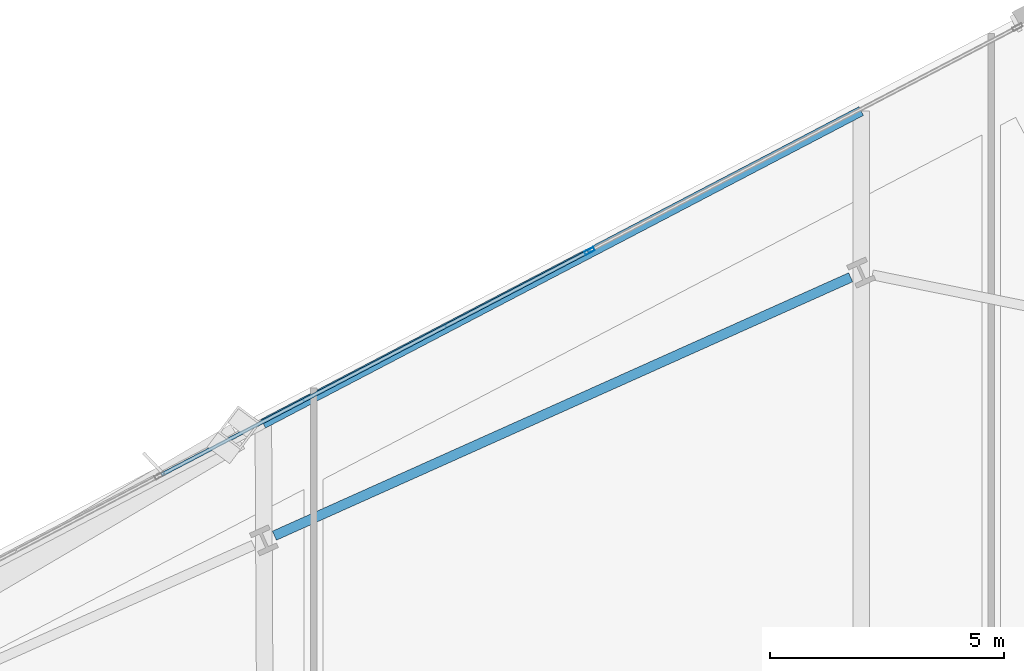
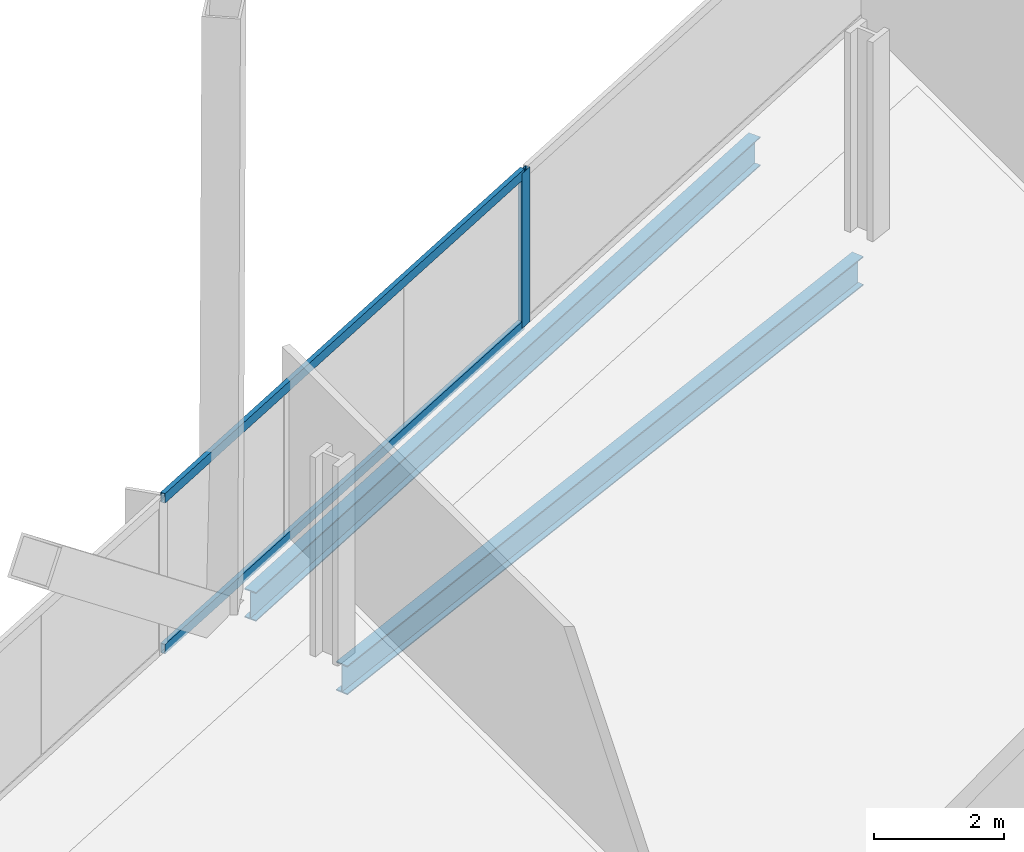
# One storey, part 18 of 33: 3 members, 2 beams, 1 element without a shape of its own.
"""IFC4 building model written with IfcOpenShell, lengths in metres."""

from ifc_helpers import new_model, si_unit, direction, frame, origin, origin_2d, place, context, subcontext, project, spatial, hollow_rectangle, i_section, extrude, material, material_profile, profile_set, type_object, element, aggregate, save


model = new_model("IFC4")

# Units and contexts
model_context = context("Model", 3, precision=1e-05, world=origin(), true_north=direction((0.0, 1.0)))
body_context = subcontext(model_context, "Body", "Model", "MODEL_VIEW")
ifc_project = project(units=[si_unit("LENGTHUNIT", "METRE"), si_unit("AREAUNIT", "SQUARE_METRE"), si_unit("VOLUMEUNIT", "CUBIC_METRE"), si_unit("PLANEANGLEUNIT", "RADIAN"), si_unit("MASSUNIT", "GRAM", prefix="KILO")], contexts=[model_context])

# Site, building, storey
site_placement = place(None, origin())
site = spatial("IfcSite", under=ifc_project, at=site_placement, CompositionType="ELEMENT")
building_placement = place(site_placement, origin())
building = spatial("IfcBuilding", under=site, at=building_placement, Name="Haldenkirk Collegiate Tower", CompositionType="ELEMENT")
storey_placement = place(building_placement, frame((0.0, 0.0, 120.449951171875)))
storey = spatial("IfcBuildingStorey", under=building, at=storey_placement, Name="L29", CompositionType="ELEMENT", Elevation=120.449951171875)

# Beams
ifc_material_1 = material(Name="Steel ASTM A992 Grade 50", Category="steel")
ifc_material_profile_1 = material_profile(ifc_material_1, i_section(OverallWidth=0.2119140625, OverallDepth=0.5439453125, WebThickness=0.01318359375, FlangeThickness=0.021240234375, at=origin_2d()), Name="W21X83")
ifc_profile_set_1 = profile_set([ifc_material_profile_1], Name="Steel ASTM A992 Grade 50")
beam_type = type_object("IfcBeamType", Name="BM-SPANDREL-W21X83", PredefinedType="SPANDREL", material=ifc_profile_set_1)
beam_1_placement = place(storey_placement, frame((39.4921875, 51.84033203125, -0.572021484375), z_axis=(-0.912476765144, -0.409128528793, 0.0), x_axis=(0.409128528793, -0.912476765144, 0.0)))
element("IfcBeam", 1, at=beam_1_placement, inside=storey, type_object=beam_type, Name="L29 perimeter spandrel beam 10", PredefinedType="SPANDREL", context=body_context, shape_type="SweptSolid", body=[
    extrude(i_section(OverallWidth=0.2119140625, OverallDepth=0.5439453125, WebThickness=0.01318359375, FlangeThickness=0.021240234375, at=origin_2d()), origin(), (0.0, 0.0, 1.0), 13.512939453125),
])
beam_2_placement = place(storey_placement, frame((39.71630859375, 55.39697265625, -0.572021484375), z_axis=(-0.886206346529, -0.463290741729, 0.0), x_axis=(0.463290741729, -0.886206346529, 0.0)))
element("IfcBeam", 2, at=beam_2_placement, inside=storey, type_object=beam_type, Name="L29 outer facade edge beam 3A", PredefinedType="SPANDREL", context=body_context, shape_type="SweptSolid", body=[
    extrude(i_section(OverallWidth=0.2119140625, OverallDepth=0.5439453125, WebThickness=0.01318359375, FlangeThickness=0.021240234375, at=origin_2d()), origin(), (0.0, 0.0, 1.0), 14.433837890625),
])

# Curtain wall, members
ifc_material_2 = material(Name="Anodised architectural bronze aluminium", Category="aluminium")
curtain_wall_type = type_object("IfcCurtainWallType", Name="CW-SYS1-CONVEX-LOW", PredefinedType="USERDEFINED", material=ifc_material_2)
curtain_wall_placement = place(storey_placement, origin())
curtain_wall = element("IfcCurtainWall", 3, at=curtain_wall_placement, inside=storey, type_object=curtain_wall_type, Name="L29 Lower tower convex bronze-framed unitised curtain wall", ObjectType="UNITISED CURTAIN WALL", PredefinedType="USERDEFINED")
ifc_material_profile_2 = material_profile(ifc_material_2, hollow_rectangle(XDim=0.080078125, YDim=0.219970703125, WallThickness=0.0048828125, at=origin_2d()), Name="CW-MUL-1A")
ifc_profile_set_2 = profile_set([ifc_material_profile_2], Name="Anodised architectural bronze aluminium")
member_type_1 = type_object("IfcMemberType", Name="CW-MUL-1A", PredefinedType="MULLION", material=ifc_profile_set_2)
member_1_placement = place(storey_placement, frame((33.90380859375, 52.403564453125, 0.0), z_axis=(0.0, 0.0, 1.0), x_axis=(-0.463296790536, 0.886203184309, 0.0)))
member_1 = element("IfcMember", 4, at=member_1_placement, type_object=member_type_1, Name="CW-1A mullion 4", PredefinedType="MULLION", context=body_context, shape_type="SweptSolid", body=[
    extrude(hollow_rectangle(XDim=0.080078125, YDim=0.219970703125, WallThickness=0.0048828125, at=origin_2d()), origin(), (0.0, 0.0, 1.0), 2.901123046875),
])
ifc_material_profile_3 = material_profile(ifc_material_2, hollow_rectangle(XDim=0.080078125, YDim=0.179931640625, WallThickness=0.0048828125, at=origin_2d()), Name="CW-TRN-1A")
ifc_profile_set_3 = profile_set([ifc_material_profile_3], Name="Anodised architectural bronze aluminium")
member_type_2 = type_object("IfcMemberType", Name="CW-TRN-1A", PredefinedType="USERDEFINED", material=ifc_profile_set_3)
member_2_placement = place(storey_placement, frame((24.744873046875, 47.615234375, 0.0400390625), z_axis=(0.886199332893, 0.463304157525, 0.0), x_axis=(-0.463304157525, 0.886199332893, 0.0)))
member_2 = element("IfcMember", 5, at=member_2_placement, type_object=member_type_2, Name="CW-1A transom 3.1", ObjectType="TRANSOM", PredefinedType="USERDEFINED", context=body_context, shape_type="SweptSolid", body=[
    extrude(hollow_rectangle(XDim=0.080078125, YDim=0.179931640625, WallThickness=0.0048828125, at=origin_2d()), origin(), (0.0, 0.0, 1.0), 10.295166015625),
])
member_3_placement = place(storey_placement, frame((24.744873046875, 47.615234375, 2.861083984375), z_axis=(0.886199332893, 0.463304157525, 0.0), x_axis=(-0.463304157525, 0.886199332893, 0.0)))
member_3 = element("IfcMember", 6, at=member_3_placement, type_object=member_type_2, Name="CW-1A transom 3.2", ObjectType="TRANSOM", PredefinedType="USERDEFINED", context=body_context, shape_type="SweptSolid", body=[
    extrude(hollow_rectangle(XDim=0.080078125, YDim=0.179931640625, WallThickness=0.0048828125, at=origin_2d()), origin(), (0.0, 0.0, 1.0), 10.295166015625),
])
aggregate(curtain_wall, [member_1, member_2, member_3])

save(model, "model.ifc")
